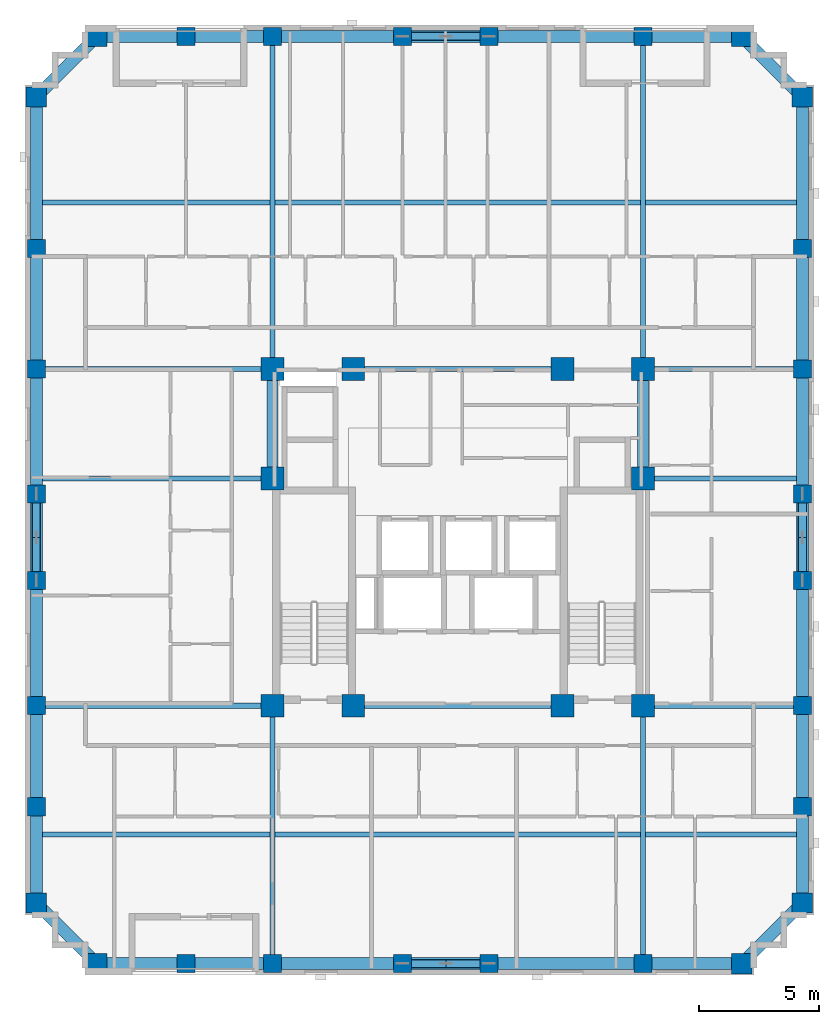
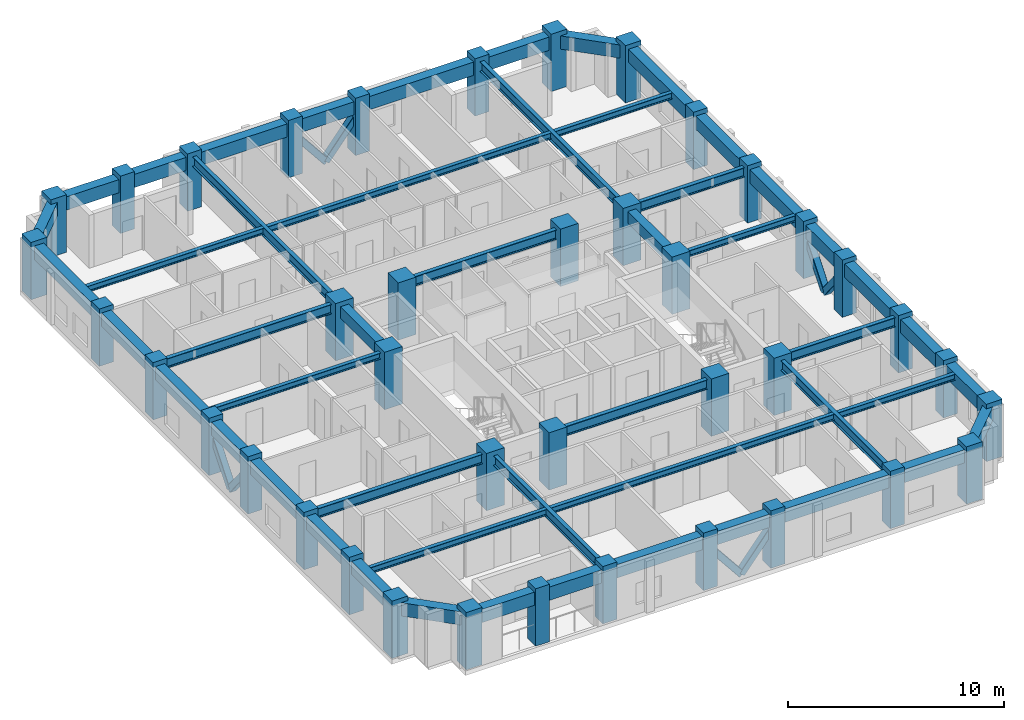
# One storey, part 1 of 11: 50 beams, 40 columns, 8 members.
"""IFC4 building model written with IfcOpenShell, lengths in metres."""

from ifc_helpers import new_model, si_unit, derived_unit, direction, frame, origin, origin_2d, place, context, subcontext, project, spatial, rectangle, hollow_rectangle, i_section, extrude, material, material_profile, profile_set, type_object, element, save


model = new_model("IFC4")

# Units and contexts
model_context = context("Model", 3, precision=1e-05, world=origin(), true_north=direction((0.0, 1.0)))
body_context = subcontext(model_context, "Body", "Model", "MODEL_VIEW")
ifc_project = project(units=[si_unit("LENGTHUNIT", "METRE"), si_unit("AREAUNIT", "SQUARE_METRE"), si_unit("VOLUMEUNIT", "CUBIC_METRE"), si_unit("PLANEANGLEUNIT", "RADIAN"), si_unit("MASSUNIT", "GRAM", prefix="KILO"), derived_unit("THERMALTRANSMITTANCEUNIT", [(si_unit("MASSUNIT", "GRAM", prefix="KILO"), 1), (si_unit("TIMEUNIT", "SECOND"), -3), (si_unit("THERMODYNAMICTEMPERATUREUNIT", "KELVIN"), -1)])], contexts=[model_context])

# Site, building, storey
site_placement = place(None, origin())
site = spatial("IfcSite", under=ifc_project, at=site_placement, CompositionType="ELEMENT")
building_placement = place(site_placement, origin())
building = spatial("IfcBuilding", under=site, at=building_placement, Name="Korrvale Station Residences", CompositionType="ELEMENT")
storey_placement = place(building_placement, frame((0.0, 0.0, 137.39990234375)))
storey = spatial("IfcBuildingStorey", under=building, at=storey_placement, Name="L39", CompositionType="ELEMENT", Elevation=137.39990234375)

# Columns
ifc_material_1 = material(Name="Concrete C60/75", Category="concrete")
ifc_material_profile_1 = material_profile(ifc_material_1, rectangle(XDim=0.75, YDim=0.75, at=origin_2d()), Name="RC750x750")
ifc_profile_set_1 = profile_set([ifc_material_profile_1], Name="Concrete C60/75")
column_type_1 = type_object("IfcColumnType", Name="COL-C-RC750x750-C6075", PredefinedType="COLUMN", material=ifc_profile_set_1)
for number, where, z_axis, x_axis, name in (
    (1, (14.199951171875, 4.280029296875, 0.0), (0.0, 0.0, 1.0), (1.0, 0.0, 0.0), "L39 Bundled-Tube South Column 02"),
    (2, (17.800048828125, 4.280029296875, 0.0), (0.0, 0.0, 1.0), (1.0, 0.0, 0.0), "L39 Bundled-Tube South Column 03"),
    (3, (23.199951171875, 4.280029296875, 0.0), (0.0, 0.0, 1.0), (1.0, 0.0, 0.0), "L39 Bundled-Tube South Column 04"),
    (4, (26.800048828125, 4.280029296875, 0.0), (0.0, 0.0, 1.0), (1.0, 0.0, 0.0), "L39 Bundled-Tube South Column 05"),
    (5, (33.199951171875, 4.280029296875, 0.0), (0.0, 0.0, 1.0), (1.0, 0.0, 0.0), "L39 Bundled-Tube South Column 06"),
    (6, (14.199951171875, 42.820068359375, 0.0), (0.0, 0.0, 1.0), (1.0, 0.0, 0.0), "L39 Bundled-Tube North Column 09"),
    (7, (17.800048828125, 42.820068359375, 0.0), (0.0, 0.0, 1.0), (1.0, 0.0, 0.0), "L39 Bundled-Tube North Column 10"),
    (8, (23.199951171875, 42.820068359375, 0.0), (0.0, 0.0, 1.0), (1.0, 0.0, 0.0), "L39 Bundled-Tube North Column 11"),
    (9, (26.800048828125, 42.820068359375, 0.0), (0.0, 0.0, 1.0), (1.0, 0.0, 0.0), "L39 Bundled-Tube North Column 12"),
    (10, (33.199951171875, 42.820068359375, 0.0), (0.0, 0.0, 1.0), (1.0, 0.0, 0.0), "L39 Bundled-Tube North Column 13"),
    (11, (7.97998046875, 10.800048828125, 0.0), (0.0, 0.0, 1.0), (1.0, 0.0, 0.0), "L39 Bundled-Tube West Column 16"),
    (12, (7.97998046875, 15.0, 0.0), (0.0, 0.0, 1.0), (1.0, 0.0, 0.0), "L39 Bundled-Tube West Column 17"),
    (13, (7.97998046875, 20.199951171875, 0.0), (0.0, 0.0, 1.0), (1.0, 0.0, 0.0), "L39 Bundled-Tube West Column 18"),
    (14, (7.97998046875, 23.800048828125, 0.0), (0.0, 0.0, 1.0), (1.0, 0.0, 0.0), "L39 Bundled-Tube West Column 19"),
    (15, (7.97998046875, 29.0, 0.0), (0.0, 0.0, 1.0), (1.0, 0.0, 0.0), "L39 Bundled-Tube West Column 20"),
    (16, (7.97998046875, 34.0, 0.0), (0.0, 0.0, 1.0), (1.0, 0.0, 0.0), "L39 Bundled-Tube West Column 21"),
    (17, (39.820068359375, 10.800048828125, 0.0), (0.0, 0.0, 1.0), (1.0, 0.0, 0.0), "L39 Bundled-Tube East Column 24"),
    (18, (39.820068359375, 15.0, 0.0), (0.0, 0.0, 1.0), (1.0, 0.0, 0.0), "L39 Bundled-Tube East Column 25"),
    (19, (39.820068359375, 20.199951171875, 0.0), (0.0, 0.0, 1.0), (1.0, 0.0, 0.0), "L39 Bundled-Tube East Column 26"),
    (20, (39.820068359375, 23.800048828125, 0.0), (0.0, 0.0, 1.0), (1.0, 0.0, 0.0), "L39 Bundled-Tube East Column 27"),
    (21, (39.820068359375, 29.0, 0.0), (0.0, 0.0, 1.0), (1.0, 0.0, 0.0), "L39 Bundled-Tube East Column 28"),
    (22, (39.820068359375, 34.0, 0.0), (0.0, 0.0, 1.0), (1.0, 0.0, 0.0), "L39 Bundled-Tube East Column 29"),
):
    element("IfcColumn", number, at=place(storey_placement, frame(where, z_axis=z_axis, x_axis=x_axis)), inside=storey, type_object=column_type_1, Name=name, PredefinedType="COLUMN", context=body_context, shape_type="SweptSolid", body=[
        extrude(rectangle(XDim=0.75, YDim=0.75, at=origin_2d()), origin(), (0.0, 0.0, 1.0), 3.25),
    ])
ifc_material_profile_2 = material_profile(ifc_material_1, rectangle(XDim=0.85009765625, YDim=0.85009765625, at=origin_2d()), Name="RC850x850")
ifc_profile_set_2 = profile_set([ifc_material_profile_2], Name="Concrete C60/75")
column_type_2 = type_object("IfcColumnType", Name="COL-C-RC850x850-C6075", PredefinedType="COLUMN", material=ifc_profile_set_2)
for number, where, z_axis, x_axis, name in (
    (23, (10.5, 4.280029296875, 0.0), (0.0, 0.0, 1.0), (1.0, 0.0, 0.0), "L39 Bundled-Tube South Column 01"),
    (24, (37.300048828125, 4.280029296875, 0.0), (0.0, 0.0, 1.0), (1.0, 0.0, 0.0), "L39 Bundled-Tube South Column 07"),
    (25, (10.5, 42.820068359375, 0.0), (0.0, 0.0, 1.0), (1.0, 0.0, 0.0), "L39 Bundled-Tube North Column 08"),
    (26, (37.300048828125, 42.820068359375, 0.0), (0.0, 0.0, 1.0), (1.0, 0.0, 0.0), "L39 Bundled-Tube North Column 14"),
    (27, (7.97998046875, 6.800048828125, 0.0), (0.0, 0.0, 1.0), (1.0, 0.0, 0.0), "L39 Bundled-Tube West Column 15"),
    (28, (7.97998046875, 40.300048828125, 0.0), (0.0, 0.0, 1.0), (1.0, 0.0, 0.0), "L39 Bundled-Tube West Column 22"),
    (29, (39.820068359375, 6.800048828125, 0.0), (0.0, 0.0, 1.0), (1.0, 0.0, 0.0), "L39 Bundled-Tube East Column 23"),
    (30, (39.820068359375, 40.300048828125, 0.0), (0.0, 0.0, 1.0), (1.0, 0.0, 0.0), "L39 Bundled-Tube East Column 30"),
):
    element("IfcColumn", number, at=place(storey_placement, frame(where, z_axis=z_axis, x_axis=x_axis)), inside=storey, type_object=column_type_2, Name=name, PredefinedType="COLUMN", context=body_context, shape_type="SweptSolid", body=[
        extrude(rectangle(XDim=0.85009765625, YDim=0.85009765625, at=origin_2d()), origin(), (0.0, 0.0, 1.0), 3.25),
    ])
ifc_material_profile_3 = material_profile(ifc_material_1, rectangle(XDim=0.949951171875, YDim=0.949951171875, at=origin_2d()), Name="RC950x950")
ifc_profile_set_3 = profile_set([ifc_material_profile_3], Name="Concrete C60/75")
column_type_3 = type_object("IfcColumnType", Name="COL-C-RC950x950-C6075", PredefinedType="COLUMN", material=ifc_profile_set_3)
for number, where, z_axis, x_axis, name in (
    (31, (17.800048828125, 15.0, 0.0), (0.0, 0.0, 1.0), (1.0, 0.0, 0.0), "L39 Core Column 01"),
    (32, (21.14990234375, 15.0, 0.0), (0.0, 0.0, 1.0), (1.0, 0.0, 0.0), "L39 Core Column 02"),
    (33, (29.85009765625, 15.0, 0.0), (0.0, 0.0, 1.0), (1.0, 0.0, 0.0), "L39 Core Column 03"),
    (34, (33.199951171875, 15.0, 0.0), (0.0, 0.0, 1.0), (1.0, 0.0, 0.0), "L39 Core Column 04"),
    (35, (17.800048828125, 29.0, 0.0), (0.0, 0.0, 1.0), (1.0, 0.0, 0.0), "L39 Core Column 05"),
    (36, (21.14990234375, 29.0, 0.0), (0.0, 0.0, 1.0), (1.0, 0.0, 0.0), "L39 Core Column 06"),
    (37, (29.85009765625, 29.0, 0.0), (0.0, 0.0, 1.0), (1.0, 0.0, 0.0), "L39 Core Column 07"),
    (38, (33.199951171875, 29.0, 0.0), (0.0, 0.0, 1.0), (1.0, 0.0, 0.0), "L39 Core Column 08"),
    (39, (17.800048828125, 24.449951171875, 0.0), (0.0, 0.0, 1.0), (1.0, 0.0, 0.0), "L39 Core Column 09"),
    (40, (33.199951171875, 24.449951171875, 0.0), (0.0, 0.0, 1.0), (1.0, 0.0, 0.0), "L39 Core Column 10"),
):
    element("IfcColumn", number, at=place(storey_placement, frame(where, z_axis=z_axis, x_axis=x_axis)), inside=storey, type_object=column_type_3, Name=name, PredefinedType="COLUMN", context=body_context, shape_type="SweptSolid", body=[
        extrude(rectangle(XDim=0.949951171875, YDim=0.949951171875, at=origin_2d()), origin(), (0.0, 0.0, 1.0), 3.25),
    ])

# Beams
ifc_material_2 = material(Name="Steel S355", Category="steel")
ifc_material_profile_4 = material_profile(ifc_material_2, i_section(OverallWidth=0.214111328125, OverallDepth=0.549072265625, WebThickness=0.0146484375, FlangeThickness=0.023681640625, FilletRadius=0.01806640625, at=origin_2d()), Name="W530x138")
ifc_profile_set_4 = profile_set([ifc_material_profile_4], Name="Steel S355")
beam_type_1 = type_object("IfcBeamType", Name="BM-BM-W530x138-S355", PredefinedType="BEAM", material=ifc_profile_set_4)
for number, where, z_axis, x_axis, name in (
    (41, (17.800048828125, 4.280029296875, 2.715576171875), (0.0, 1.0, 0.0), (-1.0, 0.0, 0.0), "L39 Bundled-Tube Web Girder 01"),
    (42, (33.199951171875, 4.280029296875, 2.715576171875), (0.0, 1.0, 0.0), (-1.0, 0.0, 0.0), "L39 Bundled-Tube Web Girder 02"),
):
    element("IfcBeam", number, at=place(storey_placement, frame(where, z_axis=z_axis, x_axis=x_axis)), inside=storey, type_object=beam_type_1, Name=name, PredefinedType="BEAM", context=body_context, shape_type="SweptSolid", body=[
        extrude(i_section(OverallWidth=0.214111328125, OverallDepth=0.549072265625, WebThickness=0.0146484375, FlangeThickness=0.023681640625, FilletRadius=0.01806640625, at=origin_2d()), origin(), (0.0, 0.0, 1.0), 10.719970703125),
    ])
for number, where, z_axis, x_axis, name in (
    (43, (17.800048828125, 29.0, 2.715576171875), (0.0, 1.0, 0.0), (-1.0, 0.0, 0.0), "L39 Bundled-Tube Web Girder 03"),
    (44, (33.199951171875, 29.0, 2.715576171875), (0.0, 1.0, 0.0), (-1.0, 0.0, 0.0), "L39 Bundled-Tube Web Girder 04"),
):
    element("IfcBeam", number, at=place(storey_placement, frame(where, z_axis=z_axis, x_axis=x_axis)), inside=storey, type_object=beam_type_1, Name=name, PredefinedType="BEAM", context=body_context, shape_type="SweptSolid", body=[
        extrude(i_section(OverallWidth=0.214111328125, OverallDepth=0.549072265625, WebThickness=0.0146484375, FlangeThickness=0.023681640625, FilletRadius=0.01806640625, at=origin_2d()), origin(), (0.0, 0.0, 1.0), 13.820068359375),
    ])
beam_1_placement = place(storey_placement, frame((7.97998046875, 15.0, 2.715576171875), z_axis=(1.0, 0.0, 0.0), x_axis=(0.0, 1.0, 0.0)))
element("IfcBeam", 45, at=beam_1_placement, inside=storey, type_object=beam_type_1, Name="L39 Bundled-Tube Web Girder 05", PredefinedType="BEAM", context=body_context, shape_type="SweptSolid", body=[
    extrude(i_section(OverallWidth=0.214111328125, OverallDepth=0.549072265625, WebThickness=0.0146484375, FlangeThickness=0.023681640625, FilletRadius=0.01806640625, at=origin_2d()), origin(), (0.0, 0.0, 1.0), 9.820068359375),
])
beam_2_placement = place(storey_placement, frame((33.199951171875, 15.0, 2.715576171875), z_axis=(1.0, 0.0, 0.0), x_axis=(0.0, 1.0, 0.0)))
element("IfcBeam", 46, at=beam_2_placement, inside=storey, type_object=beam_type_1, Name="L39 Bundled-Tube Web Girder 06", PredefinedType="BEAM", context=body_context, shape_type="SweptSolid", body=[
    extrude(i_section(OverallWidth=0.214111328125, OverallDepth=0.549072265625, WebThickness=0.0146484375, FlangeThickness=0.023681640625, FilletRadius=0.01806640625, at=origin_2d()), origin(), (0.0, 0.0, 1.0), 6.6201171875),
])
beam_3_placement = place(storey_placement, frame((7.97998046875, 29.0, 2.715576171875), z_axis=(1.0, 0.0, 0.0), x_axis=(0.0, 1.0, 0.0)))
element("IfcBeam", 47, at=beam_3_placement, inside=storey, type_object=beam_type_1, Name="L39 Bundled-Tube Web Girder 07", PredefinedType="BEAM", context=body_context, shape_type="SweptSolid", body=[
    extrude(i_section(OverallWidth=0.214111328125, OverallDepth=0.549072265625, WebThickness=0.0146484375, FlangeThickness=0.023681640625, FilletRadius=0.01806640625, at=origin_2d()), origin(), (0.0, 0.0, 1.0), 9.820068359375),
])
beam_4_placement = place(storey_placement, frame((33.199951171875, 29.0, 2.715576171875), z_axis=(1.0, 0.0, 0.0), x_axis=(0.0, 1.0, 0.0)))
element("IfcBeam", 48, at=beam_4_placement, inside=storey, type_object=beam_type_1, Name="L39 Bundled-Tube Web Girder 08", PredefinedType="BEAM", context=body_context, shape_type="SweptSolid", body=[
    extrude(i_section(OverallWidth=0.214111328125, OverallDepth=0.549072265625, WebThickness=0.0146484375, FlangeThickness=0.023681640625, FilletRadius=0.01806640625, at=origin_2d()), origin(), (0.0, 0.0, 1.0), 6.6201171875),
])
for number, where, z_axis, x_axis, name in (
    (49, (21.14990234375, 15.0, 2.715576171875), (1.0, 0.0, 0.0), (0.0, 1.0, 0.0), "L39 Bundled-Tube Web Girder 09"),
    (50, (21.14990234375, 29.0, 2.715576171875), (1.0, 0.0, 0.0), (0.0, 1.0, 0.0), "L39 Bundled-Tube Web Girder 10"),
):
    element("IfcBeam", number, at=place(storey_placement, frame(where, z_axis=z_axis, x_axis=x_axis)), inside=storey, type_object=beam_type_1, Name=name, PredefinedType="BEAM", context=body_context, shape_type="SweptSolid", body=[
        extrude(i_section(OverallWidth=0.214111328125, OverallDepth=0.549072265625, WebThickness=0.0146484375, FlangeThickness=0.023681640625, FilletRadius=0.01806640625, at=origin_2d()), origin(), (0.0, 0.0, 1.0), 8.7001953125),
    ])
ifc_material_profile_5 = material_profile(ifc_material_2, i_section(OverallWidth=0.205078125, OverallDepth=0.35400390625, WebThickness=0.009521484375, FlangeThickness=0.016845703125, FilletRadius=0.014892578125, at=origin_2d()), Name="W360x79")
ifc_profile_set_5 = profile_set([ifc_material_profile_5], Name="Steel S355")
beam_type_2 = type_object("IfcBeamType", Name="BM-JST-W360x79-S355", PredefinedType="JOIST", material=ifc_profile_set_5)
beam_5_placement = place(storey_placement, frame((8.22998046875, 9.639892578125, 2.81298828125), z_axis=(1.0, 0.0, 0.0), x_axis=(0.0, 1.0, 0.0)))
element("IfcBeam", 51, at=beam_5_placement, inside=storey, type_object=beam_type_2, Name="L39 Floor Framing Joist 01", PredefinedType="JOIST", context=body_context, shape_type="SweptSolid", body=[
    extrude(i_section(OverallWidth=0.205078125, OverallDepth=0.35400390625, WebThickness=0.009521484375, FlangeThickness=0.016845703125, FilletRadius=0.014892578125, at=origin_2d()), origin(), (0.0, 0.0, 1.0), 9.463134765625),
])
beam_6_placement = place(storey_placement, frame((17.906982421875, 9.639892578125, 2.81298828125), z_axis=(1.0, 0.0, 0.0), x_axis=(0.0, 1.0, 0.0)))
element("IfcBeam", 52, at=beam_6_placement, inside=storey, type_object=beam_type_2, Name="L39 Floor Framing Joist 02", PredefinedType="JOIST", context=body_context, shape_type="SweptSolid", body=[
    extrude(i_section(OverallWidth=0.205078125, OverallDepth=0.35400390625, WebThickness=0.009521484375, FlangeThickness=0.016845703125, FilletRadius=0.014892578125, at=origin_2d()), origin(), (0.0, 0.0, 1.0), 15.18603515625),
])
beam_7_placement = place(storey_placement, frame((33.306884765625, 9.639892578125, 2.81298828125), z_axis=(1.0, 0.0, 0.0), x_axis=(0.0, 1.0, 0.0)))
element("IfcBeam", 53, at=beam_7_placement, inside=storey, type_object=beam_type_2, Name="L39 Floor Framing Joist 03", PredefinedType="JOIST", context=body_context, shape_type="SweptSolid", body=[
    extrude(i_section(OverallWidth=0.205078125, OverallDepth=0.35400390625, WebThickness=0.009521484375, FlangeThickness=0.016845703125, FilletRadius=0.014892578125, at=origin_2d()), origin(), (0.0, 0.0, 1.0), 6.26318359375),
])
beam_8_placement = place(storey_placement, frame((8.22998046875, 35.909912109375, 2.81298828125), z_axis=(1.0, 0.0, 0.0), x_axis=(0.0, 1.0, 0.0)))
element("IfcBeam", 54, at=beam_8_placement, inside=storey, type_object=beam_type_2, Name="L39 Floor Framing Joist 04", PredefinedType="JOIST", context=body_context, shape_type="SweptSolid", body=[
    extrude(i_section(OverallWidth=0.205078125, OverallDepth=0.35400390625, WebThickness=0.009521484375, FlangeThickness=0.016845703125, FilletRadius=0.014892578125, at=origin_2d()), origin(), (0.0, 0.0, 1.0), 9.463134765625),
])
beam_9_placement = place(storey_placement, frame((17.906982421875, 35.909912109375, 2.81298828125), z_axis=(1.0, 0.0, 0.0), x_axis=(0.0, 1.0, 0.0)))
element("IfcBeam", 55, at=beam_9_placement, inside=storey, type_object=beam_type_2, Name="L39 Floor Framing Joist 05", PredefinedType="JOIST", context=body_context, shape_type="SweptSolid", body=[
    extrude(i_section(OverallWidth=0.205078125, OverallDepth=0.35400390625, WebThickness=0.009521484375, FlangeThickness=0.016845703125, FilletRadius=0.014892578125, at=origin_2d()), origin(), (0.0, 0.0, 1.0), 15.18603515625),
])
beam_10_placement = place(storey_placement, frame((33.306884765625, 35.909912109375, 2.81298828125), z_axis=(1.0, 0.0, 0.0), x_axis=(0.0, 1.0, 0.0)))
element("IfcBeam", 56, at=beam_10_placement, inside=storey, type_object=beam_type_2, Name="L39 Floor Framing Joist 06", PredefinedType="JOIST", context=body_context, shape_type="SweptSolid", body=[
    extrude(i_section(OverallWidth=0.205078125, OverallDepth=0.35400390625, WebThickness=0.009521484375, FlangeThickness=0.016845703125, FilletRadius=0.014892578125, at=origin_2d()), origin(), (0.0, 0.0, 1.0), 6.26318359375),
])
beam_11_placement = place(storey_placement, frame((33.425048828125, 24.449951171875, 2.81298828125), z_axis=(1.0, 0.0, 0.0), x_axis=(0.0, 1.0, 0.0)))
element("IfcBeam", 57, at=beam_11_placement, inside=storey, type_object=beam_type_2, Name="L39 Floor Framing Joist 07", PredefinedType="JOIST", context=body_context, shape_type="SweptSolid", body=[
    extrude(i_section(OverallWidth=0.205078125, OverallDepth=0.35400390625, WebThickness=0.009521484375, FlangeThickness=0.016845703125, FilletRadius=0.014892578125, at=origin_2d()), origin(), (0.0, 0.0, 1.0), 6.14501953125),
])
beam_12_placement = place(storey_placement, frame((8.22998046875, 24.449951171875, 2.81298828125), z_axis=(1.0, 0.0, 0.0), x_axis=(0.0, 1.0, 0.0)))
element("IfcBeam", 58, at=beam_12_placement, inside=storey, type_object=beam_type_2, Name="L39 Floor Framing Joist 08", PredefinedType="JOIST", context=body_context, shape_type="SweptSolid", body=[
    extrude(i_section(OverallWidth=0.205078125, OverallDepth=0.35400390625, WebThickness=0.009521484375, FlangeThickness=0.016845703125, FilletRadius=0.014892578125, at=origin_2d()), origin(), (0.0, 0.0, 1.0), 9.344970703125),
])
ifc_material_profile_6 = material_profile(ifc_material_1, rectangle(XDim=0.449951171875, YDim=0.64990234375, at=origin_2d()), Name="RCB450x650")
ifc_profile_set_6 = profile_set([ifc_material_profile_6], Name="Concrete C60/75")
beam_type_3 = type_object("IfcBeamType", Name="BM-LNT-RCB450x650-C6075", PredefinedType="LINTEL", material=ifc_profile_set_6)
for number, where, z_axis, x_axis, name in (
    (59, (17.800048828125, 24.449951171875, 2.6650390625), (0.0, 1.0, 0.0), (-1.0, 0.0, 0.0), "L39 Core Coupling Lintel 1"),
    (60, (33.199951171875, 24.449951171875, 2.6650390625), (0.0, 1.0, 0.0), (-1.0, 0.0, 0.0), "L39 Core Coupling Lintel 2"),
):
    element("IfcBeam", number, at=place(storey_placement, frame(where, z_axis=z_axis, x_axis=x_axis)), inside=storey, type_object=beam_type_3, Name=name, PredefinedType="LINTEL", context=body_context, shape_type="SweptSolid", body=[
        extrude(rectangle(XDim=0.449951171875, YDim=0.64990234375, at=origin_2d()), origin(), (0.0, 0.0, 1.0), 4.550048828125),
    ])
ifc_material_profile_7 = material_profile(ifc_material_1, rectangle(XDim=0.5, YDim=0.75, at=origin_2d()), Name="RCB500x750")
ifc_profile_set_7 = profile_set([ifc_material_profile_7], Name="Concrete C60/75")
beam_type_4 = type_object("IfcBeamType", Name="BM-SPB-RCB500x750-C6075", PredefinedType="SPANDREL", material=ifc_profile_set_7)
beam_13_placement = place(storey_placement, frame((10.5, 4.280029296875, 2.614990234375), z_axis=(1.0, 0.0, 0.0), x_axis=(0.0, 1.0, 0.0)))
element("IfcBeam", 61, at=beam_13_placement, inside=storey, type_object=beam_type_4, Name="L39 South Tube Spandrel 01", PredefinedType="SPANDREL", context=body_context, shape_type="SweptSolid", body=[
    extrude(rectangle(XDim=0.5, YDim=0.75, at=origin_2d()), origin(), (0.0, 0.0, 1.0), 3.699951171875),
])
beam_14_placement = place(storey_placement, frame((14.199951171875, 4.280029296875, 2.614990234375), z_axis=(1.0, 0.0, 0.0), x_axis=(0.0, 1.0, 0.0)))
element("IfcBeam", 62, at=beam_14_placement, inside=storey, type_object=beam_type_4, Name="L39 South Tube Spandrel 02", PredefinedType="SPANDREL", context=body_context, shape_type="SweptSolid", body=[
    extrude(rectangle(XDim=0.5, YDim=0.75, at=origin_2d()), origin(), (0.0, 0.0, 1.0), 3.60009765625),
])
beam_15_placement = place(storey_placement, frame((17.800048828125, 4.280029296875, 2.614990234375), z_axis=(1.0, 0.0, 0.0), x_axis=(0.0, 1.0, 0.0)))
element("IfcBeam", 63, at=beam_15_placement, inside=storey, type_object=beam_type_4, Name="L39 South Tube Spandrel 03", PredefinedType="SPANDREL", context=body_context, shape_type="SweptSolid", body=[
    extrude(rectangle(XDim=0.5, YDim=0.75, at=origin_2d()), origin(), (0.0, 0.0, 1.0), 5.39990234375),
])
beam_16_placement = place(storey_placement, frame((23.199951171875, 4.280029296875, 2.614990234375), z_axis=(1.0, 0.0, 0.0), x_axis=(0.0, 1.0, 0.0)))
element("IfcBeam", 64, at=beam_16_placement, inside=storey, type_object=beam_type_4, Name="L39 South Tube Spandrel 04", PredefinedType="SPANDREL", context=body_context, shape_type="SweptSolid", body=[
    extrude(rectangle(XDim=0.5, YDim=0.75, at=origin_2d()), origin(), (0.0, 0.0, 1.0), 3.60009765625),
])
beam_17_placement = place(storey_placement, frame((26.800048828125, 4.280029296875, 2.614990234375), z_axis=(1.0, 0.0, 0.0), x_axis=(0.0, 1.0, 0.0)))
element("IfcBeam", 65, at=beam_17_placement, inside=storey, type_object=beam_type_4, Name="L39 South Tube Spandrel 05", PredefinedType="SPANDREL", context=body_context, shape_type="SweptSolid", body=[
    extrude(rectangle(XDim=0.5, YDim=0.75, at=origin_2d()), origin(), (0.0, 0.0, 1.0), 6.39990234375),
])
beam_18_placement = place(storey_placement, frame((33.199951171875, 4.280029296875, 2.614990234375), z_axis=(1.0, 0.0, 0.0), x_axis=(0.0, 1.0, 0.0)))
element("IfcBeam", 66, at=beam_18_placement, inside=storey, type_object=beam_type_4, Name="L39 South Tube Spandrel 06", PredefinedType="SPANDREL", context=body_context, shape_type="SweptSolid", body=[
    extrude(rectangle(XDim=0.5, YDim=0.75, at=origin_2d()), origin(), (0.0, 0.0, 1.0), 4.10009765625),
])
beam_19_placement = place(storey_placement, frame((10.5, 42.820068359375, 2.614990234375), z_axis=(1.0, 0.0, 0.0), x_axis=(0.0, 1.0, 0.0)))
element("IfcBeam", 67, at=beam_19_placement, inside=storey, type_object=beam_type_4, Name="L39 North Tube Spandrel 07", PredefinedType="SPANDREL", context=body_context, shape_type="SweptSolid", body=[
    extrude(rectangle(XDim=0.5, YDim=0.75, at=origin_2d()), origin(), (0.0, 0.0, 1.0), 3.699951171875),
])
beam_20_placement = place(storey_placement, frame((14.199951171875, 42.820068359375, 2.614990234375), z_axis=(1.0, 0.0, 0.0), x_axis=(0.0, 1.0, 0.0)))
element("IfcBeam", 68, at=beam_20_placement, inside=storey, type_object=beam_type_4, Name="L39 North Tube Spandrel 08", PredefinedType="SPANDREL", context=body_context, shape_type="SweptSolid", body=[
    extrude(rectangle(XDim=0.5, YDim=0.75, at=origin_2d()), origin(), (0.0, 0.0, 1.0), 3.60009765625),
])
beam_21_placement = place(storey_placement, frame((17.800048828125, 42.820068359375, 2.614990234375), z_axis=(1.0, 0.0, 0.0), x_axis=(0.0, 1.0, 0.0)))
element("IfcBeam", 69, at=beam_21_placement, inside=storey, type_object=beam_type_4, Name="L39 North Tube Spandrel 09", PredefinedType="SPANDREL", context=body_context, shape_type="SweptSolid", body=[
    extrude(rectangle(XDim=0.5, YDim=0.75, at=origin_2d()), origin(), (0.0, 0.0, 1.0), 5.39990234375),
])
beam_22_placement = place(storey_placement, frame((23.199951171875, 42.820068359375, 2.614990234375), z_axis=(1.0, 0.0, 0.0), x_axis=(0.0, 1.0, 0.0)))
element("IfcBeam", 70, at=beam_22_placement, inside=storey, type_object=beam_type_4, Name="L39 North Tube Spandrel 10", PredefinedType="SPANDREL", context=body_context, shape_type="SweptSolid", body=[
    extrude(rectangle(XDim=0.5, YDim=0.75, at=origin_2d()), origin(), (0.0, 0.0, 1.0), 3.60009765625),
])
beam_23_placement = place(storey_placement, frame((26.800048828125, 42.820068359375, 2.614990234375), z_axis=(1.0, 0.0, 0.0), x_axis=(0.0, 1.0, 0.0)))
element("IfcBeam", 71, at=beam_23_placement, inside=storey, type_object=beam_type_4, Name="L39 North Tube Spandrel 11", PredefinedType="SPANDREL", context=body_context, shape_type="SweptSolid", body=[
    extrude(rectangle(XDim=0.5, YDim=0.75, at=origin_2d()), origin(), (0.0, 0.0, 1.0), 6.39990234375),
])
beam_24_placement = place(storey_placement, frame((33.199951171875, 42.820068359375, 2.614990234375), z_axis=(1.0, 0.0, 0.0), x_axis=(0.0, 1.0, 0.0)))
element("IfcBeam", 72, at=beam_24_placement, inside=storey, type_object=beam_type_4, Name="L39 North Tube Spandrel 12", PredefinedType="SPANDREL", context=body_context, shape_type="SweptSolid", body=[
    extrude(rectangle(XDim=0.5, YDim=0.75, at=origin_2d()), origin(), (0.0, 0.0, 1.0), 4.10009765625),
])
beam_25_placement = place(storey_placement, frame((7.97998046875, 6.800048828125, 2.614990234375), z_axis=(0.0, 1.0, 0.0), x_axis=(-1.0, 0.0, 0.0)))
element("IfcBeam", 73, at=beam_25_placement, inside=storey, type_object=beam_type_4, Name="L39 West Tube Spandrel 13", PredefinedType="SPANDREL", context=body_context, shape_type="SweptSolid", body=[
    extrude(rectangle(XDim=0.5, YDim=0.75, at=origin_2d()), origin(), (0.0, 0.0, 1.0), 4.0),
])
beam_26_placement = place(storey_placement, frame((7.97998046875, 10.800048828125, 2.614990234375), z_axis=(0.0, 1.0, 0.0), x_axis=(-1.0, 0.0, 0.0)))
element("IfcBeam", 74, at=beam_26_placement, inside=storey, type_object=beam_type_4, Name="L39 West Tube Spandrel 14", PredefinedType="SPANDREL", context=body_context, shape_type="SweptSolid", body=[
    extrude(rectangle(XDim=0.5, YDim=0.75, at=origin_2d()), origin(), (0.0, 0.0, 1.0), 4.199951171875),
])
beam_27_placement = place(storey_placement, frame((7.97998046875, 15.0, 2.614990234375), z_axis=(0.0, 1.0, 0.0), x_axis=(-1.0, 0.0, 0.0)))
element("IfcBeam", 75, at=beam_27_placement, inside=storey, type_object=beam_type_4, Name="L39 West Tube Spandrel 15", PredefinedType="SPANDREL", context=body_context, shape_type="SweptSolid", body=[
    extrude(rectangle(XDim=0.5, YDim=0.75, at=origin_2d()), origin(), (0.0, 0.0, 1.0), 5.199951171875),
])
beam_28_placement = place(storey_placement, frame((7.97998046875, 20.199951171875, 2.614990234375), z_axis=(0.0, 1.0, 0.0), x_axis=(-1.0, 0.0, 0.0)))
element("IfcBeam", 76, at=beam_28_placement, inside=storey, type_object=beam_type_4, Name="L39 West Tube Spandrel 16", PredefinedType="SPANDREL", context=body_context, shape_type="SweptSolid", body=[
    extrude(rectangle(XDim=0.5, YDim=0.75, at=origin_2d()), origin(), (0.0, 0.0, 1.0), 3.60009765625),
])
beam_29_placement = place(storey_placement, frame((7.97998046875, 23.800048828125, 2.614990234375), z_axis=(0.0, 1.0, 0.0), x_axis=(-1.0, 0.0, 0.0)))
element("IfcBeam", 77, at=beam_29_placement, inside=storey, type_object=beam_type_4, Name="L39 West Tube Spandrel 17", PredefinedType="SPANDREL", context=body_context, shape_type="SweptSolid", body=[
    extrude(rectangle(XDim=0.5, YDim=0.75, at=origin_2d()), origin(), (0.0, 0.0, 1.0), 5.199951171875),
])
beam_30_placement = place(storey_placement, frame((7.97998046875, 29.0, 2.614990234375), z_axis=(0.0, 1.0, 0.0), x_axis=(-1.0, 0.0, 0.0)))
element("IfcBeam", 78, at=beam_30_placement, inside=storey, type_object=beam_type_4, Name="L39 West Tube Spandrel 18", PredefinedType="SPANDREL", context=body_context, shape_type="SweptSolid", body=[
    extrude(rectangle(XDim=0.5, YDim=0.75, at=origin_2d()), origin(), (0.0, 0.0, 1.0), 5.0),
])
beam_31_placement = place(storey_placement, frame((7.97998046875, 34.0, 2.614990234375), z_axis=(0.0, 1.0, 0.0), x_axis=(-1.0, 0.0, 0.0)))
element("IfcBeam", 79, at=beam_31_placement, inside=storey, type_object=beam_type_4, Name="L39 West Tube Spandrel 19", PredefinedType="SPANDREL", context=body_context, shape_type="SweptSolid", body=[
    extrude(rectangle(XDim=0.5, YDim=0.75, at=origin_2d()), origin(), (0.0, 0.0, 1.0), 6.300048828125),
])
beam_32_placement = place(storey_placement, frame((39.820068359375, 6.800048828125, 2.614990234375), z_axis=(0.0, 1.0, 0.0), x_axis=(-1.0, 0.0, 0.0)))
element("IfcBeam", 80, at=beam_32_placement, inside=storey, type_object=beam_type_4, Name="L39 East Tube Spandrel 20", PredefinedType="SPANDREL", context=body_context, shape_type="SweptSolid", body=[
    extrude(rectangle(XDim=0.5, YDim=0.75, at=origin_2d()), origin(), (0.0, 0.0, 1.0), 4.0),
])
beam_33_placement = place(storey_placement, frame((39.820068359375, 10.800048828125, 2.614990234375), z_axis=(0.0, 1.0, 0.0), x_axis=(-1.0, 0.0, 0.0)))
element("IfcBeam", 81, at=beam_33_placement, inside=storey, type_object=beam_type_4, Name="L39 East Tube Spandrel 21", PredefinedType="SPANDREL", context=body_context, shape_type="SweptSolid", body=[
    extrude(rectangle(XDim=0.5, YDim=0.75, at=origin_2d()), origin(), (0.0, 0.0, 1.0), 4.199951171875),
])
beam_34_placement = place(storey_placement, frame((39.820068359375, 15.0, 2.614990234375), z_axis=(0.0, 1.0, 0.0), x_axis=(-1.0, 0.0, 0.0)))
element("IfcBeam", 82, at=beam_34_placement, inside=storey, type_object=beam_type_4, Name="L39 East Tube Spandrel 22", PredefinedType="SPANDREL", context=body_context, shape_type="SweptSolid", body=[
    extrude(rectangle(XDim=0.5, YDim=0.75, at=origin_2d()), origin(), (0.0, 0.0, 1.0), 5.199951171875),
])
beam_35_placement = place(storey_placement, frame((39.820068359375, 20.199951171875, 2.614990234375), z_axis=(0.0, 1.0, 0.0), x_axis=(-1.0, 0.0, 0.0)))
element("IfcBeam", 83, at=beam_35_placement, inside=storey, type_object=beam_type_4, Name="L39 East Tube Spandrel 23", PredefinedType="SPANDREL", context=body_context, shape_type="SweptSolid", body=[
    extrude(rectangle(XDim=0.5, YDim=0.75, at=origin_2d()), origin(), (0.0, 0.0, 1.0), 3.60009765625),
])
beam_36_placement = place(storey_placement, frame((39.820068359375, 23.800048828125, 2.614990234375), z_axis=(0.0, 1.0, 0.0), x_axis=(-1.0, 0.0, 0.0)))
element("IfcBeam", 84, at=beam_36_placement, inside=storey, type_object=beam_type_4, Name="L39 East Tube Spandrel 24", PredefinedType="SPANDREL", context=body_context, shape_type="SweptSolid", body=[
    extrude(rectangle(XDim=0.5, YDim=0.75, at=origin_2d()), origin(), (0.0, 0.0, 1.0), 5.199951171875),
])
beam_37_placement = place(storey_placement, frame((39.820068359375, 29.0, 2.614990234375), z_axis=(0.0, 1.0, 0.0), x_axis=(-1.0, 0.0, 0.0)))
element("IfcBeam", 85, at=beam_37_placement, inside=storey, type_object=beam_type_4, Name="L39 East Tube Spandrel 25", PredefinedType="SPANDREL", context=body_context, shape_type="SweptSolid", body=[
    extrude(rectangle(XDim=0.5, YDim=0.75, at=origin_2d()), origin(), (0.0, 0.0, 1.0), 5.0),
])
beam_38_placement = place(storey_placement, frame((39.820068359375, 34.0, 2.614990234375), z_axis=(0.0, 1.0, 0.0), x_axis=(-1.0, 0.0, 0.0)))
element("IfcBeam", 86, at=beam_38_placement, inside=storey, type_object=beam_type_4, Name="L39 East Tube Spandrel 26", PredefinedType="SPANDREL", context=body_context, shape_type="SweptSolid", body=[
    extrude(rectangle(XDim=0.5, YDim=0.75, at=origin_2d()), origin(), (0.0, 0.0, 1.0), 6.300048828125),
])
for number, where, z_axis, x_axis, name in (
    (87, (10.5, 4.280029296875, 2.614990234375), (-0.707106781187, 0.707106781187, 0.0), (-0.707106781187, -0.707106781187, 0.0), "L39 Serrated Corner Spandrel 27"),
    (88, (37.300048828125, 4.280029296875, 2.614990234375), (0.707106781187, 0.707106781187, 0.0), (-0.707106781187, 0.707106781187, 0.0), "L39 Serrated Corner Spandrel 28"),
    (89, (37.300048828125, 42.820068359375, 2.614990234375), (0.707106781187, -0.707106781187, 0.0), (0.707106781187, 0.707106781187, 0.0), "L39 Serrated Corner Spandrel 29"),
    (90, (10.5, 42.820068359375, 2.614990234375), (-0.707106781187, -0.707106781187, 0.0), (0.707106781187, -0.707106781187, 0.0), "L39 Serrated Corner Spandrel 30"),
):
    element("IfcBeam", number, at=place(storey_placement, frame(where, z_axis=z_axis, x_axis=x_axis)), inside=storey, type_object=beam_type_4, Name=name, PredefinedType="SPANDREL", context=body_context, shape_type="SweptSolid", body=[
        extrude(rectangle(XDim=0.5, YDim=0.75, at=origin_2d()), origin(), (0.0, 0.0, 1.0), 3.56396484375),
    ])

# Members
ifc_material_profile_8 = material_profile(ifc_material_2, hollow_rectangle(XDim=0.355712890625, YDim=0.355712890625, WallThickness=0.015869140625, InnerFilletRadius=0.015869140625, OuterFilletRadius=0.03173828125, at=origin_2d()), Name="HSS356x356x16")
ifc_profile_set_8 = profile_set([ifc_material_profile_8], Name="Steel S355")
member_type = type_object("IfcMemberType", Name="MBR-BR-HSS356x356x16", PredefinedType="BRACE", material=ifc_profile_set_8)
for number, where, z_axis, x_axis, name in (
    (91, (25.0, 4.280029296875, 0.02001953125), (-0.62640309239, 0.0, 0.779499304582), (0.0, -1.0, 0.0), "L39 S Perimeter Tube Wind Brace 1"),
    (92, (25.0, 4.280029296875, 0.02001953125), (0.62640309239, 0.0, 0.779499304582), (0.0, 1.0, 0.0), "L39 S Perimeter Tube Wind Brace 2"),
    (93, (25.0, 42.820068359375, 0.02001953125), (-0.62640309239, 0.0, 0.779499304582), (0.0, -1.0, 0.0), "L39 N Perimeter Tube Wind Brace 1"),
    (94, (25.0, 42.820068359375, 0.02001953125), (0.62640309239, 0.0, 0.779499304582), (0.0, 1.0, 0.0), "L39 N Perimeter Tube Wind Brace 2"),
    (95, (7.97998046875, 22.0, 0.02001953125), (0.0, -0.62640309239, 0.779499304582), (1.0, 0.0, 0.0), "L39 W Perimeter Tube Wind Brace 1"),
    (96, (7.97998046875, 22.0, 0.02001953125), (0.0, 0.62640309239, 0.779499304582), (-1.0, 0.0, 0.0), "L39 W Perimeter Tube Wind Brace 2"),
    (97, (39.820068359375, 22.0, 0.02001953125), (0.0, -0.62640309239, 0.779499304582), (1.0, 0.0, 0.0), "L39 E Perimeter Tube Wind Brace 1"),
    (98, (39.820068359375, 22.0, 0.02001953125), (0.0, 0.62640309239, 0.779499304582), (-1.0, 0.0, 0.0), "L39 E Perimeter Tube Wind Brace 2"),
):
    element("IfcMember", number, at=place(storey_placement, frame(where, z_axis=z_axis, x_axis=x_axis)), inside=storey, type_object=member_type, Name=name, PredefinedType="BRACE", context=body_context, shape_type="SweptSolid", body=[
        extrude(hollow_rectangle(XDim=0.355712890625, YDim=0.355712890625, WallThickness=0.015869140625, InnerFilletRadius=0.015869140625, OuterFilletRadius=0.03173828125, at=origin_2d()), origin(), (0.0, 0.0, 1.0), 2.87353515625),
    ])

save(model, "model.ifc")
